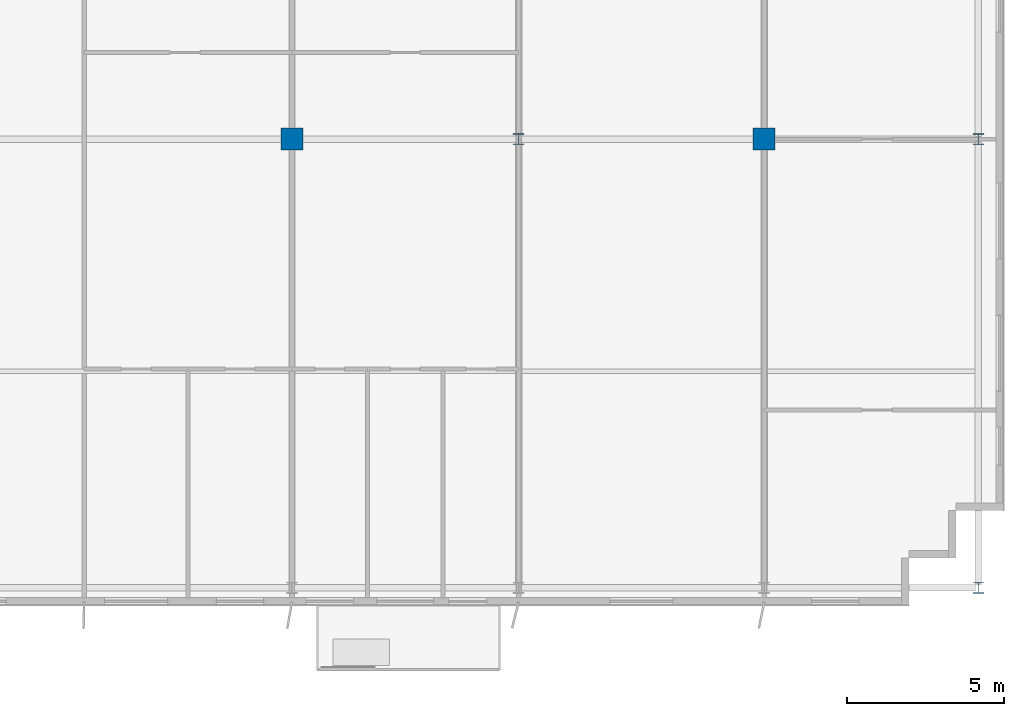
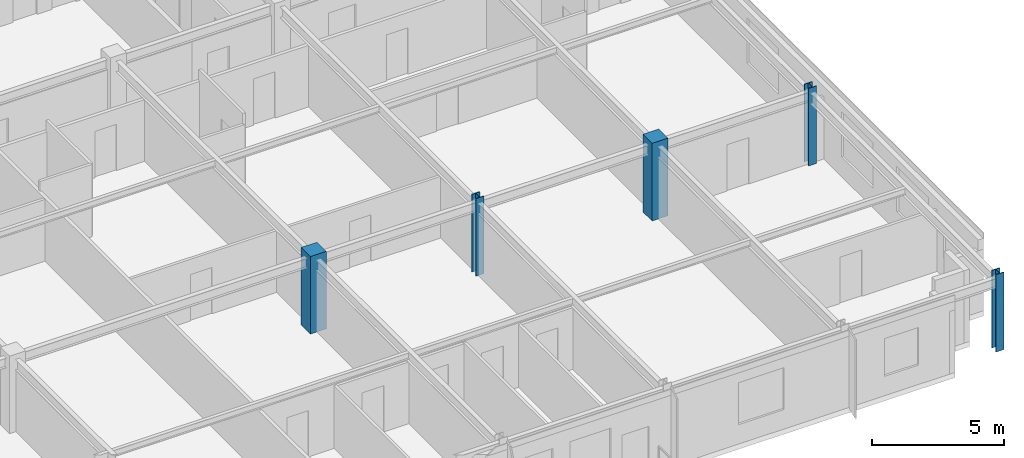
# One storey, part 2 of 23: 5 columns.
"""IFC4 building model written with IfcOpenShell, lengths in metres."""

import ifcopenshell
import ifcopenshell.guid

model = None  # the IFC model being written
_history = None  # IfcOwnerHistory: only IFC2X3 demands one
_inside = {}  # id of a spatial element -> (the spatial element, [elements in it])
_under = {}  # id of a project, library or spatial element -> (it, [spatial elements below it])
_declared = {}  # id of a project -> (the project, [libraries it declares])
_typed = {}  # id of a type object -> (the type object, [elements of that type])
_made_of = {}  # id of a material, layer set ... -> (it, [elements and type objects made of it])


def new_model(schema):
    """Start an empty IFC model of exactly this schema.

    Asked for "IFC4X3", IfcOpenShell would pick the latest addendum, in which some entities
    have other attributes; the version numbers below select the first issue.
    IFC2X3 requires an IfcOwnerHistory on every rooted entity: one is made here for all.
    """
    global model, _history
    if schema == "IFC4X3":
        model = ifcopenshell.file(schema_version=(4, 3, 0, 0))
    else:
        model = ifcopenshell.file(schema=schema)
    _inside.clear()
    _under.clear()
    _declared.clear()
    _typed.clear()
    _made_of.clear()
    _history = None
    if model.schema == "IFC2X3":
        org = make("IfcOrganization", Name="unknown")
        user = make(
            "IfcPersonAndOrganization",
            ThePerson=make("IfcPerson", FamilyName="unknown"),
            TheOrganization=org,
        )
        app = make(
            "IfcApplication",
            ApplicationDeveloper=org,
            Version="unknown",
            ApplicationFullName="unknown",
            ApplicationIdentifier="unknown",
        )
        _history = make(
            "IfcOwnerHistory",
            OwningUser=user,
            OwningApplication=app,
            ChangeAction="ADDED",
            CreationDate=0,
        )
    return model


def make(cls, **values):
    """One entity of the class cls with the attributes given. An attribute that is None is left unset."""
    return model.create_entity(
        cls, **{name: value for name, value in values.items() if value is not None}
    )


def rooted(cls, **values):
    """An entity with a GlobalId (a new one), such as an element, a storey or a relation."""
    return make(cls, GlobalId=ifcopenshell.guid.new(), OwnerHistory=_history, **values)


def si_unit(unit_type, name, prefix=None):
    """IfcSIUnit, for example si_unit("LENGTHUNIT", "METRE", prefix="MILLI")."""
    return make("IfcSIUnit", UnitType=unit_type, Prefix=prefix, Name=name)


def assignment(units):
    """IfcUnitAssignment: the units of a project."""
    return None if units is None else make("IfcUnitAssignment", Units=units)


def point(xyz):
    """IfcCartesianPoint."""
    return None if xyz is None else make("IfcCartesianPoint", Coordinates=xyz)


def direction(xyz):
    """IfcDirection."""
    return None if xyz is None else make("IfcDirection", DirectionRatios=xyz)


def frame(location, z_axis=None, x_axis=None):
    """IfcAxis2Placement3D, a coordinate frame: its origin and axes. An axis left out is left unset."""
    return make(
        "IfcAxis2Placement3D",
        Location=point(location),
        Axis=direction(z_axis),
        RefDirection=direction(x_axis),
    )


def frame_2d(location, x_axis=None):
    """IfcAxis2Placement2D, a coordinate frame in the plane: its origin and x axis."""
    return make(
        "IfcAxis2Placement2D", Location=point(location), RefDirection=direction(x_axis)
    )


def origin():
    """The frame at (0, 0, 0) with its axes left unset."""
    return frame((0.0, 0.0, 0.0))


def origin_2d():
    """The frame at (0, 0) in the plane with its x axis left unset."""
    return frame_2d((0.0, 0.0))


def place(relative_to, where):
    """IfcLocalPlacement: puts the frame where relative to a parent placement (None: the world)."""
    return make(
        "IfcLocalPlacement", PlacementRelTo=relative_to, RelativePlacement=where
    )


def context(
    kind, dimensions, precision=None, world=None, true_north=None, identifier=None
):
    """IfcGeometricRepresentationContext, for example the 3D "Model" context."""
    return make(
        "IfcGeometricRepresentationContext",
        ContextIdentifier=identifier,
        ContextType=kind,
        CoordinateSpaceDimension=dimensions,
        Precision=precision,
        WorldCoordinateSystem=world,
        TrueNorth=true_north,
    )


def subcontext(parent, identifier, kind, view, scale=None):
    """IfcGeometricRepresentationSubContext, for example "Body" below "Model"."""
    return make(
        "IfcGeometricRepresentationSubContext",
        ContextIdentifier=identifier,
        ContextType=kind,
        ParentContext=parent,
        TargetScale=scale,
        TargetView=view,
    )


def project(units=None, contexts=None):
    """IfcProject with its units and contexts."""
    return rooted(
        "IfcProject",
        Name="project",
        RepresentationContexts=contexts,
        UnitsInContext=assignment(units),
    )


def spatial(cls, under=None, at=None, **own):
    """A site, building, storey or space (cls), placed at a placement, below another one or the project."""
    s = rooted(cls, ObjectPlacement=at, **own)
    if under is not None:
        _under.setdefault(under.id(), (under, []))[1].append(s)
    return s


def profile(cls, at=None, kind="AREA", **sizes):
    """A parametric profile (cls). Its sizes go by their IFC names, for example OverallWidth=200.0."""
    return make(cls, ProfileType=kind, Position=at, **sizes)


def rectangle(**sizes):
    """IfcRectangleProfileDef."""
    return profile("IfcRectangleProfileDef", **sizes)


def i_section(**sizes):
    """IfcIShapeProfileDef."""
    return profile("IfcIShapeProfileDef", **sizes)


def extrude(swept, where, along, depth):
    """IfcExtrudedAreaSolid: the profile swept, set in the frame where, extruded along a direction by depth."""
    return make(
        "IfcExtrudedAreaSolid",
        SweptArea=swept,
        Position=where,
        ExtrudedDirection=direction(along),
        Depth=depth,
    )


def shape(context_of_items, identifier, shape_type, items):
    """IfcShapeRepresentation: the items that make up one representation, for example the "Body"."""
    return make(
        "IfcShapeRepresentation",
        ContextOfItems=context_of_items,
        RepresentationIdentifier=identifier,
        RepresentationType=shape_type,
        Items=items,
    )


def source(mapping_origin, context_of_items, identifier, shape_type, items):
    """IfcRepresentationMap: a shape defined once, which mapped items show again and again."""
    return make(
        "IfcRepresentationMap",
        MappingOrigin=mapping_origin,
        MappedRepresentation=shape(context_of_items, identifier, shape_type, items),
    )


def transform(
    local_origin,
    x_axis=None,
    y_axis=None,
    z_axis=None,
    scale=None,
    scale2=None,
    scale3=None,
    uniform=True,
):
    """IfcCartesianTransformationOperator3D, or its non-uniform kind. x_axis, y_axis, z_axis: its Axis1, 2, 3."""
    if uniform:
        return make(
            "IfcCartesianTransformationOperator3D",
            Axis1=direction(x_axis),
            Axis2=direction(y_axis),
            LocalOrigin=point(local_origin),
            Scale=scale,
            Axis3=direction(z_axis),
        )
    return make(
        "IfcCartesianTransformationOperator3DnonUniform",
        Axis1=direction(x_axis),
        Axis2=direction(y_axis),
        LocalOrigin=point(local_origin),
        Scale=scale,
        Axis3=direction(z_axis),
        Scale2=scale2,
        Scale3=scale3,
    )


def mapped(mapping_source, mapping_target):
    """IfcMappedItem: shows the shape of a source again, moved by a transform."""
    return make(
        "IfcMappedItem", MappingSource=mapping_source, MappingTarget=mapping_target
    )


def material(Name=None, Category=None):
    """IfcMaterial."""
    return make("IfcMaterial", Name=Name, Category=Category)


def material_profile(
    of_material, cross_section, Name=None, Category=None, Priority=None
):
    """IfcMaterialProfile: a cross section and its material."""
    return make(
        "IfcMaterialProfile",
        Name=Name,
        Material=of_material,
        Profile=cross_section,
        Priority=Priority,
        Category=Category,
    )


def profile_set(profiles, Name=None, composite=None):
    """IfcMaterialProfileSet."""
    return make(
        "IfcMaterialProfileSet",
        Name=Name,
        MaterialProfiles=profiles,
        CompositeProfile=composite,
    )


def made_of(thing, what):
    """Note that an element or type object is made of a material, layer set ...; save() writes the relation."""
    if what is not None:
        _made_of.setdefault(what.id(), (what, []))[1].append(thing)
    return thing


def type_object(cls, material=None, **own):
    """A type object (cls), such as IfcWallType, which elements share."""
    return made_of(rooted(cls, **own), material)


def element(
    cls,
    number,
    at=None,
    inside=None,
    cuts=None,
    type_object=None,
    material=None,
    context=None,
    identifier="Body",
    shape_type=None,
    held_by="IfcProductDefinitionShape",
    body=None,
    shapes=None,
    **own,
):
    """One element of the class cls, such as IfcWall. Its Tag is "e" and its number.

    at: its placement. inside: the storey or other place that contains it. cuts: it is an
    opening in that element (IfcRelVoidsElement). A single representation is given by context,
    identifier, shape_type and body (its items); several are given by shapes. held_by: the class
    of the entity that holds the representations. save() writes the other relations.
    """
    e = rooted(cls, Tag="e%d" % number, ObjectPlacement=at, **own)
    if body is not None:
        shapes = [shape(context, identifier, shape_type, body)]
    if shapes is not None:
        e.Representation = make(held_by, Representations=shapes)
    if inside is not None:
        _inside.setdefault(inside.id(), (inside, []))[1].append(e)
    if cuts is not None:
        rooted(
            "IfcRelVoidsElement", RelatingBuildingElement=cuts, RelatedOpeningElement=e
        )
    if type_object is not None:
        _typed.setdefault(type_object.id(), (type_object, []))[1].append(e)
    return made_of(e, material)


def aggregate(whole, parts):
    """IfcRelAggregates: a whole, such as a stair, and the parts it consists of."""
    return rooted("IfcRelAggregates", RelatingObject=whole, RelatedObjects=parts)


def save(model, path):
    """Write the relations noted so far, then the file.

    IfcRelAggregates (storeys below a building ...), IfcRelContainedInSpatialStructure (elements
    in a storey), IfcRelDefinesByType, IfcRelAssociatesMaterial and IfcRelDeclares: one each for
    every whole, place, type object, material and project.
    """
    for whole, parts in _under.values():
        aggregate(whole, parts)
    for where, things in _inside.values():
        rooted(
            "IfcRelContainedInSpatialStructure",
            RelatedElements=things,
            RelatingStructure=where,
        )
    for kind, things in _typed.values():
        rooted("IfcRelDefinesByType", RelatedObjects=things, RelatingType=kind)
    for what, things in _made_of.values():
        rooted("IfcRelAssociatesMaterial", RelatedObjects=things, RelatingMaterial=what)
    for by, libraries in _declared.values():
        rooted("IfcRelDeclares", RelatingContext=by, RelatedDefinitions=libraries)
    model.write(path)


model = new_model("IFC4")

# Units and contexts
model_context = context("Model", 3, precision=1e-05, world=origin(), true_north=direction((0.0, 1.0)))
body_context = subcontext(model_context, "Body", "Model", "MODEL_VIEW")
ifc_project = project(units=[si_unit("LENGTHUNIT", "METRE"), si_unit("AREAUNIT", "SQUARE_METRE"), si_unit("VOLUMEUNIT", "CUBIC_METRE"), si_unit("PLANEANGLEUNIT", "RADIAN"), si_unit("MASSUNIT", "GRAM", prefix="KILO")], contexts=[model_context])

# Site, building, storey
site_placement = place(None, origin())
site = spatial("IfcSite", under=ifc_project, at=site_placement, CompositionType="ELEMENT")
building_placement = place(site_placement, origin())
building = spatial("IfcBuilding", under=site, at=building_placement, Name="Trelvane Seafront Commons", CompositionType="ELEMENT")
storey_placement = place(building_placement, frame((0.0, 0.0, 219.300048828125)))
storey = spatial("IfcBuildingStorey", under=building, at=storey_placement, Name="L57", CompositionType="ELEMENT", Elevation=219.300048828125)

# Columns
ifc_material_1 = material(Name="Concrete C50/60", Category="concrete")
ifc_material_profile_1 = material_profile(ifc_material_1, rectangle(XDim=0.699951171875, YDim=0.699951171875, at=origin_2d()), Name="RC-700x700")
ifc_profile_set_1 = profile_set([ifc_material_profile_1], Name="Concrete C50/60")
column_type_1 = type_object("IfcColumnType", Name="STR-COL-RC700", PredefinedType="COLUMN", material=ifc_profile_set_1)
shared_shape_1 = source(origin(), body_context, "Body", "SweptSolid", [
    extrude(rectangle(XDim=0.699951171875, YDim=0.699951171875, at=origin_2d()), origin(), (0.0, 0.0, 1.0), 3.599853515625),
])
for number, where, z_axis, x_axis, name in (
    (1, (43.800048828125, 18.199951171875, 0.0), (0.0, 0.0, 1.0), (1.0, 0.0, 0.0), "L57 Column TC-M43.8"),
    (2, (58.800048828125, 18.199951171875, 0.0), (0.0, 0.0, 1.0), (1.0, 0.0, 0.0), "L57 Column TC-M58.8"),
):
    element("IfcColumn", number, at=place(storey_placement, frame(where, z_axis=z_axis, x_axis=x_axis)), inside=storey, type_object=column_type_1, Name=name, PredefinedType="COLUMN", context=body_context, shape_type="MappedRepresentation", body=[
        mapped(shared_shape_1, transform((0.0, 0.0, 0.0), x_axis=(1.0, 0.0, 0.0), y_axis=(0.0, 1.0, 0.0), z_axis=(0.0, 0.0, 1.0), scale=1.0)),
    ])
ifc_material_2 = material(Name="Steel SM355 (S355)", Category="steel")
ifc_material_profile_2 = material_profile(ifc_material_2, i_section(OverallWidth=0.35009765625, OverallDepth=0.35009765625, WebThickness=0.01806640625, FlangeThickness=0.028076171875, at=origin_2d()), Name="HD-350x350x18x28")
ifc_profile_set_2 = profile_set([ifc_material_profile_2], Name="Steel SM355 (S355)")
column_type_2 = type_object("IfcColumnType", Name="STR-COL-HD350", PredefinedType="COLUMN", material=ifc_profile_set_2)
shared_shape_2 = source(origin(), body_context, "Body", "SweptSolid", [
    extrude(i_section(OverallWidth=0.35009765625, OverallDepth=0.35009765625, WebThickness=0.01806640625, FlangeThickness=0.028076171875, at=origin_2d()), origin(), (0.0, 0.0, 1.0), 3.599853515625),
])
for number, where, z_axis, x_axis, name in (
    (3, (51.0, 18.199951171875, 0.0), (0.0, 0.0, 1.0), (1.0, 0.0, 0.0), "L57 Column TC-M51.0"),
    (4, (65.60009765625, 3.949951171875, 0.0), (0.0, 0.0, 1.0), (1.0, 0.0, 0.0), "L57 Column TC-S65.6"),
    (5, (65.60009765625, 18.199951171875, 0.0), (0.0, 0.0, 1.0), (1.0, 0.0, 0.0), "L57 Column TC-M65.6"),
):
    element("IfcColumn", number, at=place(storey_placement, frame(where, z_axis=z_axis, x_axis=x_axis)), inside=storey, type_object=column_type_2, Name=name, PredefinedType="COLUMN", context=body_context, shape_type="MappedRepresentation", body=[
        mapped(shared_shape_2, transform((0.0, 0.0, 0.0), x_axis=(1.0, 0.0, 0.0), y_axis=(0.0, 1.0, 0.0), z_axis=(0.0, 0.0, 1.0), scale=1.0)),
    ])

save(model, "model.ifc")
